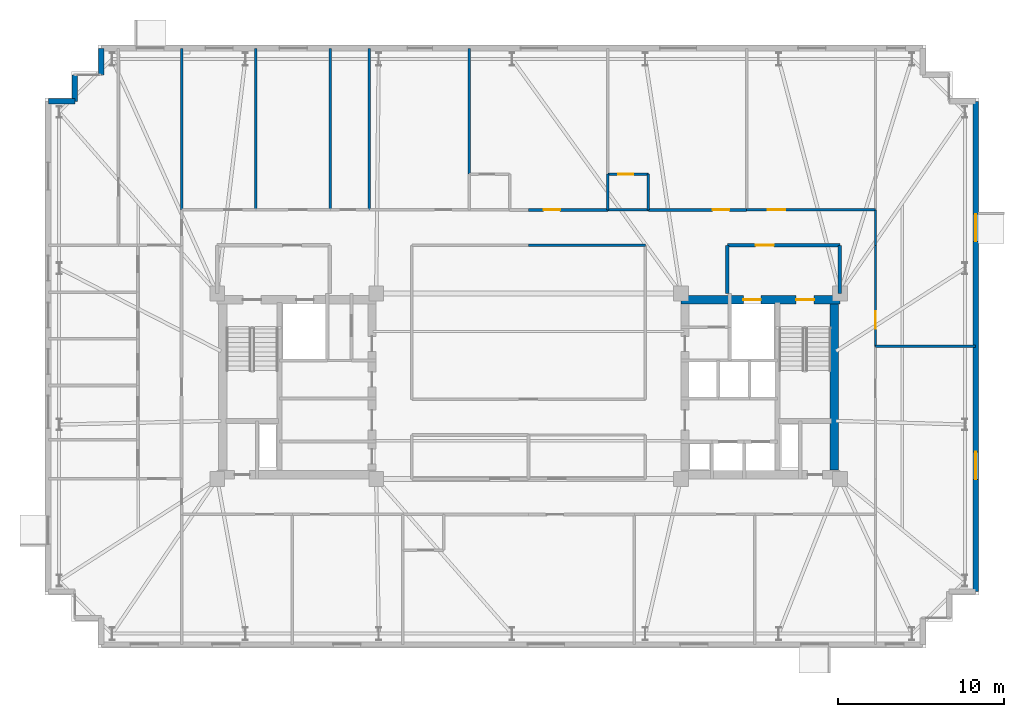
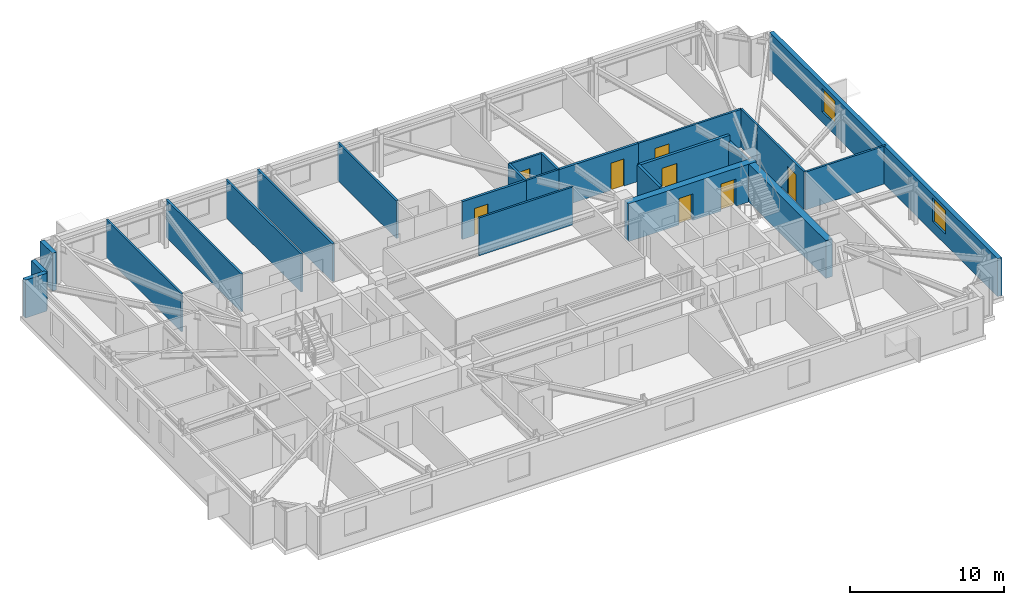
# One storey, part 14 of 17: 25 walls, 8 doors, 2 windows, 10 openings.
"""IFC4 building model written with IfcOpenShell, lengths in metres."""

from ifc_helpers import new_model, si_unit, direction, frame, frame_2d, origin, place, context, subcontext, project, spatial, rectangle, extrude, material, layer, layer_set, type_object, element, fill, save


model = new_model("IFC4")

# Units and contexts
model_context = context("Model", 3, precision=1e-05, world=origin(), true_north=direction((0.0, 1.0)))
body_context = subcontext(model_context, "Body", "Model", "MODEL_VIEW")
ifc_project = project(units=[si_unit("LENGTHUNIT", "METRE"), si_unit("AREAUNIT", "SQUARE_METRE"), si_unit("VOLUMEUNIT", "CUBIC_METRE"), si_unit("PLANEANGLEUNIT", "RADIAN"), si_unit("MASSUNIT", "GRAM", prefix="KILO")], contexts=[model_context])

# Site, building, storey
site_placement = place(None, origin())
site = spatial("IfcSite", under=ifc_project, at=site_placement, CompositionType="ELEMENT")
building_placement = place(site_placement, origin())
building = spatial("IfcBuilding", under=site, at=building_placement, Name="Qobustan Lattice House", CompositionType="ELEMENT")
storey_placement = place(building_placement, frame((0.0, 0.0, 171.199951171875)))
storey = spatial("IfcBuildingStorey", under=building, at=storey_placement, Name="L48", CompositionType="ELEMENT", Elevation=171.199951171875)

# Wall, openings, doors
ifc_material_1 = material(Name="Concrete C50/60", Category="concrete")
ifc_layer_1 = layer(ifc_material_1, 0.5)
ifc_layer_set_1 = layer_set([ifc_layer_1], Name="Concrete C50/60")
wall_type_1 = type_object("IfcWallType", Name="WAL-CORE-500", PredefinedType="SHEAR", material=ifc_layer_set_1)
wall_1_placement = place(storey_placement, frame((9.199951171875, 5.2099609375, 0.0), z_axis=(0.0, 0.0, 1.0), x_axis=(1.0, 0.0, 0.0)))
wall_1 = element("IfcWall", 1, at=wall_1_placement, inside=storey, type_object=wall_type_1, Name="L48 split-core shear wall CE-N", PredefinedType="SHEAR", context=body_context, shape_type="SweptSolid", body=[
    extrude(rectangle(XDim=9.60009765625, YDim=0.5, at=frame_2d((4.800048828125, 0.0))), origin(), (0.0, 0.0, 1.0), 3.0),
])
opening_1_placement = place(wall_1_placement, frame((6.949951171875, 0.0, 0.0)))
opening_1 = element("IfcOpeningElement", 2, at=opening_1_placement, cuts=wall_1, Name="Opening SD-01", PredefinedType="OPENING", context=body_context, shape_type="SweptSolid", body=[
    extrude(rectangle(XDim=1.10009765625, YDim=2.14990234375, at=frame_2d((0.550048828125, 1.074951171875))), frame((0.0, 0.260009765625, 0.0), z_axis=(0.0, -1.0, 0.0), x_axis=(1.0, 0.0, 0.0)), (0.0, 0.0, 1.0), 0.52001953125),
])
opening_2_placement = place(wall_1_placement, frame((3.77490234375, 0.0, 0.0)))
opening_2 = element("IfcOpeningElement", 3, at=opening_2_placement, cuts=wall_1, Name="Opening LD-01", PredefinedType="OPENING", context=body_context, shape_type="SweptSolid", body=[
    extrude(rectangle(XDim=1.050048828125, YDim=2.10009765625, at=frame_2d((0.52490234375, 1.050048828125))), frame((0.0, 0.260009765625, 0.0), z_axis=(0.0, -1.0, 0.0), x_axis=(1.0, 0.0, 0.0)), (0.0, 0.0, 1.0), 0.52001953125),
])
ifc_material_2 = material(Name="Persian walnut timber and steel frame door", Category="steel")
door_type_1 = type_object("IfcDoorType", Name="DOR-LIFT-LD-1050x2100", OperationType="NOTDEFINED", PredefinedType="DOOR", material=ifc_material_2)
door_1_placement = place(opening_2_placement, origin())
door_1 = element("IfcDoor", 4, at=door_1_placement, inside=storey, type_object=door_type_1, Name="L48 firefighting lift FF-E landing door", OperationType="DOUBLE_DOOR_SLIDING", OverallHeight=2.10009765625, OverallWidth=1.050048828125, PredefinedType="DOOR", context=body_context, shape_type="SweptSolid", body=[
    extrude(rectangle(XDim=1.050048828125, YDim=2.10009765625, at=frame_2d((0.52490234375, 1.050048828125))), frame((0.0, 0.02490234375, 0.0), z_axis=(0.0, -1.0, 0.0), x_axis=(1.0, 0.0, 0.0)), (0.0, 0.0, 1.0), 0.050048828125),
])
fill(opening_2, door_1)
ifc_material_3 = material(Name="Persian walnut timber and steel frame door", Category="steel")
door_type_2 = type_object("IfcDoorType", Name="DOR-STAIR-FD-1100x2150", OperationType="NOTDEFINED", PredefinedType="DOOR", material=ifc_material_3)
door_2_placement = place(opening_1_placement, origin())
door_2 = element("IfcDoor", 5, at=door_2_placement, inside=storey, type_object=door_type_2, Name="L48 exit stair ST-E1 fire door", OperationType="SINGLE_SWING_RIGHT", OverallHeight=2.14990234375, OverallWidth=1.10009765625, PredefinedType="DOOR", context=body_context, shape_type="SweptSolid", body=[
    extrude(rectangle(XDim=1.10009765625, YDim=2.14990234375, at=frame_2d((0.550048828125, 1.074951171875))), frame((0.0, 0.02490234375, 0.0), z_axis=(0.0, -1.0, 0.0), x_axis=(1.0, 0.0, 0.0)), (0.0, 0.0, 1.0), 0.050048828125),
])
fill(opening_1, door_2)

# Walls
wall_2_placement = place(storey_placement, frame((18.4599609375, -5.050048828125, 0.0), z_axis=(0.0, 0.0, 1.0), x_axis=(0.0, 1.0, 0.0)))
element("IfcWall", 6, at=wall_2_placement, inside=storey, type_object=wall_type_1, Name="L48 split-core shear wall CE-E", PredefinedType="SHEAR", context=body_context, shape_type="SweptSolid", body=[
    extrude(rectangle(XDim=10.10009765625, YDim=0.5, at=frame_2d((5.050048828125, 0.0))), origin(), (0.0, 0.0, 1.0), 3.0),
])
ifc_material_4 = material(Name="Precast concrete C40/50", Category="concrete")
ifc_layer_2 = layer(ifc_material_4, 0.320068359375)
ifc_layer_set_2 = layer_set([ifc_layer_2], Name="Precast concrete C40/50")
wall_type_2 = type_object("IfcWallType", Name="WAL-EXT-STONE-320", PredefinedType="SOLIDWALL", material=ifc_layer_set_2)
for number, where, z_axis, x_axis, name in (
    (7, (-29.0, 17.199951171875, 0.0), (0.0, 0.0, 1.0), (1.0, 0.0, 0.0), "L48 exterior limestone-clad wall 6"),
    (8, (-27.39990234375, 17.199951171875, 0.0), (0.0, 0.0, 1.0), (0.0, 1.0, 0.0), "L48 exterior limestone-clad wall 7"),
):
    element("IfcWall", number, at=place(storey_placement, frame(where, z_axis=z_axis, x_axis=x_axis)), inside=storey, type_object=wall_type_2, Name=name, PredefinedType="SOLIDWALL", context=body_context, shape_type="SweptSolid", body=[
        extrude(rectangle(XDim=1.60009765625, YDim=0.320068359375, at=frame_2d((0.800048828125, 0.0))), origin(), (0.0, 0.0, 1.0), 3.0),
    ])
wall_3_placement = place(storey_placement, frame((-25.800048828125, 18.800048828125, 0.0), z_axis=(0.0, 0.0, 1.0), x_axis=(0.0, 1.0, 0.0)))
element("IfcWall", 9, at=wall_3_placement, inside=storey, type_object=wall_type_2, Name="L48 exterior limestone-clad wall 9", PredefinedType="SOLIDWALL", context=body_context, shape_type="SweptSolid", body=[
    extrude(rectangle(XDim=1.599853515625, YDim=0.320068359375, at=frame_2d((0.7998046875, 0.0))), origin(), (0.0, 0.0, 1.0), 3.0),
])

# Wall, openings, windows
wall_4_placement = place(storey_placement, frame((27.0, 17.199951171875, 0.0), z_axis=(0.0, 0.0, 1.0), x_axis=(0.0, -1.0, 0.0)))
wall_4 = element("IfcWall", 10, at=wall_4_placement, inside=storey, type_object=wall_type_2, Name="L48 exterior limestone-clad wall 15", PredefinedType="SOLIDWALL", context=body_context, shape_type="SweptSolid", body=[
    extrude(rectangle(XDim=29.599853515625, YDim=0.320068359375, at=frame_2d((14.7998046875, 0.0))), origin(), (0.0, 0.0, 1.0), 3.0),
])
opening_3_placement = place(wall_4_placement, frame((6.81494140625, 0.0, 0.85009765625)))
opening_3 = element("IfcOpeningElement", 11, at=opening_3_placement, cuts=wall_4, Name="Opening WN-09", PredefinedType="OPENING", context=body_context, shape_type="SweptSolid", body=[
    extrude(rectangle(XDim=1.64990234375, YDim=1.85009765625, at=frame_2d((0.824951171875, 0.925048828125))), frame((0.0, 0.169921875, 0.0), z_axis=(0.0, -1.0, 0.0), x_axis=(1.0, 0.0, 0.0)), (0.0, 0.0, 1.0), 0.340087890625),
])
opening_4_placement = place(wall_4_placement, frame((21.175048828125, 0.0, 0.85009765625)))
opening_4 = element("IfcOpeningElement", 12, at=opening_4_placement, cuts=wall_4, Name="Opening WN-09", PredefinedType="OPENING", context=body_context, shape_type="SweptSolid", body=[
    extrude(rectangle(XDim=1.64990234375, YDim=1.85009765625, at=frame_2d((0.824951171875, 0.925048828125))), frame((0.0, 0.169921875, 0.0), z_axis=(0.0, -1.0, 0.0), x_axis=(1.0, 0.0, 0.0)), (0.0, 0.0, 1.0), 0.340087890625),
])
ifc_material_5 = material(Name="Double-glazed low-E aluminium window", Category="aluminium")
window_type = type_object("IfcWindowType", Name="WIN-STU-1650x1850", PartitioningType="SINGLE_PANEL", PredefinedType="WINDOW", material=ifc_material_5)
window_1_placement = place(opening_3_placement, origin())
window_1 = element("IfcWindow", 13, at=window_1_placement, inside=storey, type_object=window_type, Name="L48 Collaborative tutorial room window", OverallHeight=1.85009765625, OverallWidth=1.64990234375, PartitioningType="SINGLE_PANEL", PredefinedType="WINDOW", context=body_context, shape_type="SweptSolid", body=[
    extrude(rectangle(XDim=1.64990234375, YDim=1.85009765625, at=frame_2d((0.824951171875, 0.925048828125))), frame((0.0, 0.030029296875, 0.0), z_axis=(0.0, -1.0, 0.0), x_axis=(1.0, 0.0, 0.0)), (0.0, 0.0, 1.0), 0.06005859375),
])
fill(opening_3, window_1)
window_2_placement = place(opening_4_placement, origin())
window_2 = element("IfcWindow", 14, at=window_2_placement, inside=storey, type_object=window_type, Name="L48 Fellows reading room window", OverallHeight=1.85009765625, OverallWidth=1.64990234375, PartitioningType="SINGLE_PANEL", PredefinedType="WINDOW", context=body_context, shape_type="SweptSolid", body=[
    extrude(rectangle(XDim=1.64990234375, YDim=1.85009765625, at=frame_2d((0.824951171875, 0.925048828125))), frame((0.0, 0.030029296875, 0.0), z_axis=(0.0, -1.0, 0.0), x_axis=(1.0, 0.0, 0.0)), (0.0, 0.0, 1.0), 0.06005859375),
])
fill(opening_4, window_2)

# Wall, opening, door
ifc_material_6 = material(Name="Gypsum fireboard acoustic partition", Category="gypsum")
ifc_layer_3 = layer(ifc_material_6, 0.179931640625)
ifc_layer_set_3 = layer_set([ifc_layer_3], Name="Gypsum fireboard acoustic partition")
wall_type_3 = type_object("IfcWallType", Name="WAL-FIRE-180", PredefinedType="PARTITIONING", material=ifc_layer_set_3)
wall_5_placement = place(storey_placement, frame((0.0, 10.64990234375, 0.0), z_axis=(0.0, 0.0, 1.0), x_axis=(1.0, 0.0, 0.0)))
wall_5 = element("IfcWall", 15, at=wall_5_placement, inside=storey, type_object=wall_type_3, Name="L48 interior partition 43", PredefinedType="PARTITIONING", context=body_context, shape_type="SweptSolid", body=[
    extrude(rectangle(XDim=4.7900390625, YDim=0.179931640625, at=frame_2d((2.39501953125, 0.0))), origin(), (0.0, 0.0, 1.0), 3.0),
])
opening_5_placement = place(wall_5_placement, frame((0.90869140625, 0.0, 0.0)))
opening_5 = element("IfcOpeningElement", 16, at=opening_5_placement, cuts=wall_5, Name="Opening FD-02", PredefinedType="OPENING", context=body_context, shape_type="SweptSolid", body=[
    extrude(rectangle(XDim=1.0, YDim=2.14990234375, at=frame_2d((0.5, 1.074951171875))), frame((0.0, 0.099853515625, 0.0), z_axis=(0.0, -1.0, 0.0), x_axis=(1.0, 0.0, 0.0)), (0.0, 0.0, 1.0), 0.199951171875),
])
ifc_material_7 = material(Name="Persian walnut timber and steel frame door", Category="steel")
door_type_3 = type_object("IfcDoorType", Name="DOR-UNIT-FD-1000x2150", OperationType="NOTDEFINED", PredefinedType="DOOR", material=ifc_material_7)
door_3_placement = place(opening_5_placement, origin())
door_3 = element("IfcDoor", 17, at=door_3_placement, inside=storey, type_object=door_type_3, Name="L48 North-east floor corridor to Kitchenette and studio apartment L48-N3 door", OperationType="SINGLE_SWING_RIGHT", OverallHeight=2.14990234375, OverallWidth=1.0, PredefinedType="DOOR", context=body_context, shape_type="SweptSolid", body=[
    extrude(rectangle(XDim=1.0, YDim=2.14990234375, at=frame_2d((0.5, 1.074951171875))), frame((0.0, 0.02490234375, 0.0), z_axis=(0.0, -1.0, 0.0), x_axis=(1.0, 0.0, 0.0)), (0.0, 0.0, 1.0), 0.050048828125),
])
fill(opening_5, door_3)

wall_6_placement = place(storey_placement, frame((7.239990234375, 10.64990234375, 0.0), z_axis=(0.0, 0.0, 1.0), x_axis=(1.0, 0.0, 0.0)))
wall_6 = element("IfcWall", 18, at=wall_6_placement, inside=storey, type_object=wall_type_3, Name="L48 interior partition 44", PredefinedType="PARTITIONING", context=body_context, shape_type="SweptSolid", body=[
    extrude(rectangle(XDim=5.929931640625, YDim=0.179931640625, at=frame_2d((2.96484375, 0.0))), origin(), (0.0, 0.0, 1.0), 3.0),
])
opening_6_placement = place(wall_6_placement, frame((3.87890625, 0.0, 0.0)))
opening_6 = element("IfcOpeningElement", 19, at=opening_6_placement, cuts=wall_6, Name="Opening FD-02", PredefinedType="OPENING", context=body_context, shape_type="SweptSolid", body=[
    extrude(rectangle(XDim=1.0, YDim=2.14990234375, at=frame_2d((0.5, 1.074951171875))), frame((0.0, 0.099853515625, 0.0), z_axis=(0.0, -1.0, 0.0), x_axis=(1.0, 0.0, 0.0)), (0.0, 0.0, 1.0), 0.199951171875),
])
door_4_placement = place(opening_6_placement, origin())
door_4 = element("IfcDoor", 20, at=door_4_placement, inside=storey, type_object=door_type_3, Name="L48 North-east floor corridor to Kitchenette and studio apartment L48-N4 door", OperationType="SINGLE_SWING_LEFT", OverallHeight=2.14990234375, OverallWidth=1.0, PredefinedType="DOOR", context=body_context, shape_type="SweptSolid", body=[
    extrude(rectangle(XDim=1.0, YDim=2.14990234375, at=frame_2d((0.5, 1.074951171875))), frame((0.0, 0.02490234375, 0.0), z_axis=(0.0, -1.0, 0.0), x_axis=(1.0, 0.0, 0.0)), (0.0, 0.0, 1.0), 0.050048828125),
])
fill(opening_6, door_4)

# Wall
ifc_material_8 = material(Name="Acoustic twin-stud gypsum partition", Category="gypsum")
ifc_layer_4 = layer(ifc_material_8, 0.14990234375)
ifc_layer_set_4 = layer_set([ifc_layer_4], Name="Acoustic twin-stud gypsum partition")
wall_type_4 = type_object("IfcWallType", Name="WAL-PART-150", PredefinedType="PARTITIONING", material=ifc_layer_set_4)
wall_7_placement = place(storey_placement, frame((20.949951171875, 10.64990234375, 0.0), z_axis=(0.0, 0.0, 1.0), x_axis=(0.0, -1.0, 0.0)))
element("IfcWall", 21, at=wall_7_placement, inside=storey, type_object=wall_type_4, Name="L48 interior partition 42", PredefinedType="PARTITIONING", context=body_context, shape_type="SweptSolid", body=[
    extrude(rectangle(XDim=2.14990234375, YDim=0.14990234375, at=frame_2d((1.074951171875, 0.0))), origin(), (0.0, 0.0, 1.0), 3.0),
])

# Wall, opening, door
wall_8_placement = place(storey_placement, frame((13.169921875, 10.64990234375, 0.0), z_axis=(0.0, 0.0, 1.0), x_axis=(1.0, 0.0, 0.0)))
wall_8 = element("IfcWall", 22, at=wall_8_placement, inside=storey, type_object=wall_type_4, Name="L48 interior partition 46", PredefinedType="PARTITIONING", context=body_context, shape_type="SweptSolid", body=[
    extrude(rectangle(XDim=7.780029296875, YDim=0.14990234375, at=frame_2d((3.89013671875, 0.0))), origin(), (0.0, 0.0, 1.0), 3.0),
])
opening_7_placement = place(wall_8_placement, frame((1.276123046875, 0.0, 0.0)))
opening_7 = element("IfcOpeningElement", 23, at=opening_7_placement, cuts=wall_8, Name="Opening ID-02", PredefinedType="OPENING", context=body_context, shape_type="SweptSolid", body=[
    extrude(rectangle(XDim=1.050048828125, YDim=2.14990234375, at=frame_2d((0.52490234375, 1.074951171875))), frame((0.0, 0.0849609375, 0.0), z_axis=(0.0, -1.0, 0.0), x_axis=(1.0, 0.0, 0.0)), (0.0, 0.0, 1.0), 0.169921875),
])
ifc_material_9 = material(Name="Persian walnut timber and steel frame door", Category="steel")
door_type_4 = type_object("IfcDoorType", Name="DOR-STUDY-1050x2150", OperationType="NOTDEFINED", PredefinedType="DOOR", material=ifc_material_9)
door_5_placement = place(opening_7_placement, origin())
door_5 = element("IfcDoor", 24, at=door_5_placement, inside=storey, type_object=door_type_4, Name="L48 North-east floor corridor to Focus study room N5 door", OperationType="SINGLE_SWING_RIGHT", OverallHeight=2.14990234375, OverallWidth=1.050048828125, PredefinedType="DOOR", context=body_context, shape_type="SweptSolid", body=[
    extrude(rectangle(XDim=1.050048828125, YDim=2.14990234375, at=frame_2d((0.52490234375, 1.074951171875))), frame((0.0, 0.02490234375, 0.0), z_axis=(0.0, -1.0, 0.0), x_axis=(1.0, 0.0, 0.0)), (0.0, 0.0, 1.0), 0.050048828125),
])
fill(opening_7, door_5)

# Wall
wall_9_placement = place(storey_placement, frame((7.050048828125, 8.5, 0.0), z_axis=(0.0, 0.0, 1.0), x_axis=(-1.0, 0.0, 0.0)))
element("IfcWall", 25, at=wall_9_placement, inside=storey, type_object=wall_type_4, Name="L48 interior partition 47", PredefinedType="PARTITIONING", context=body_context, shape_type="SweptSolid", body=[
    extrude(rectangle(XDim=7.050048828125, YDim=0.14990234375, at=frame_2d((3.52490234375, 0.0))), origin(), (0.0, 0.0, 1.0), 3.0),
])

# Wall, opening, door
wall_10_placement = place(storey_placement, frame((20.949951171875, 8.5, 0.0), z_axis=(0.0, 0.0, 1.0), x_axis=(0.0, -1.0, 0.0)))
wall_10 = element("IfcWall", 26, at=wall_10_placement, inside=storey, type_object=wall_type_4, Name="L48 interior partition 61", PredefinedType="PARTITIONING", context=body_context, shape_type="SweptSolid", body=[
    extrude(rectangle(XDim=6.10009765625, YDim=0.14990234375, at=frame_2d((3.050048828125, 0.0))), origin(), (0.0, 0.0, 1.0), 3.0),
])
opening_8_placement = place(wall_10_placement, frame((3.983642578125, 0.0, 0.0)))
opening_8 = element("IfcOpeningElement", 27, at=opening_8_placement, cuts=wall_10, Name="Opening ID-02", PredefinedType="OPENING", context=body_context, shape_type="SweptSolid", body=[
    extrude(rectangle(XDim=1.050048828125, YDim=2.14990234375, at=frame_2d((0.52490234375, 1.074951171875))), frame((0.0, 0.0849609375, 0.0), z_axis=(0.0, -1.0, 0.0), x_axis=(1.0, 0.0, 0.0)), (0.0, 0.0, 1.0), 0.169921875),
])
door_6_placement = place(opening_8_placement, origin())
door_6 = element("IfcDoor", 28, at=door_6_placement, inside=storey, type_object=door_type_4, Name="L48 East wing spine gallery to Collaborative tutorial room door", OperationType="SINGLE_SWING_LEFT", OverallHeight=2.14990234375, OverallWidth=1.050048828125, PredefinedType="DOOR", context=body_context, shape_type="SweptSolid", body=[
    extrude(rectangle(XDim=1.050048828125, YDim=2.14990234375, at=frame_2d((0.52490234375, 1.074951171875))), frame((0.0, 0.02490234375, 0.0), z_axis=(0.0, -1.0, 0.0), x_axis=(1.0, 0.0, 0.0)), (0.0, 0.0, 1.0), 0.050048828125),
])
fill(opening_8, door_6)

# Walls
wall_11_placement = place(storey_placement, frame((-20.949951171875, 20.39990234375, 0.0), z_axis=(0.0, 0.0, 1.0), x_axis=(0.0, -1.0, 0.0)))
element("IfcWall", 29, at=wall_11_placement, inside=storey, type_object=wall_type_4, Name="L48 interior partition 78", PredefinedType="PARTITIONING", context=body_context, shape_type="SweptSolid", body=[
    extrude(rectangle(XDim=9.75, YDim=0.14990234375, at=frame_2d((4.875, 0.0))), origin(), (0.0, 0.0, 1.0), 3.0),
])
wall_12_placement = place(storey_placement, frame((20.949951171875, 2.39990234375, 0.0), z_axis=(0.0, 0.0, 1.0), x_axis=(1.0, 0.0, 0.0)))
element("IfcWall", 30, at=wall_12_placement, inside=storey, type_object=wall_type_4, Name="L48 interior partition 86", PredefinedType="PARTITIONING", context=body_context, shape_type="SweptSolid", body=[
    extrude(rectangle(XDim=6.050048828125, YDim=0.14990234375, at=frame_2d((3.02490234375, 0.0))), origin(), (0.0, 0.0, 1.0), 3.0),
])
wall_13_placement = place(storey_placement, frame((-16.4599609375, 20.39990234375, 0.0), z_axis=(0.0, 0.0, 1.0), x_axis=(0.0, -1.0, 0.0)))
element("IfcWall", 31, at=wall_13_placement, inside=storey, type_object=wall_type_4, Name="L48 interior partition 89", PredefinedType="PARTITIONING", context=body_context, shape_type="SweptSolid", body=[
    extrude(rectangle(XDim=9.75, YDim=0.14990234375, at=frame_2d((4.875, 0.0))), origin(), (0.0, 0.0, 1.0), 3.0),
])
wall_14_placement = place(storey_placement, frame((-3.590087890625, 20.39990234375, 0.0), z_axis=(0.0, 0.0, 1.0), x_axis=(0.0, -1.0, 0.0)))
element("IfcWall", 32, at=wall_14_placement, inside=storey, type_object=wall_type_4, Name="L48 interior partition 92", PredefinedType="PARTITIONING", context=body_context, shape_type="SweptSolid", body=[
    extrude(rectangle(XDim=7.599853515625, YDim=0.14990234375, at=frame_2d((3.7998046875, 0.0))), origin(), (0.0, 0.0, 1.0), 3.0),
])

# Wall, opening, door
ifc_material_10 = material(Name="Two-hour gypsum fireboard acoustic partition", Category="gypsum")
ifc_layer_5 = layer(ifc_material_10, 0.199951171875)
ifc_layer_set_5 = layer_set([ifc_layer_5], Name="Two-hour gypsum fireboard acoustic partition")
wall_type_5 = type_object("IfcWallType", Name="WAL-PROT-200", PredefinedType="PARTITIONING", material=ifc_layer_set_5)
wall_15_placement = place(storey_placement, frame((18.800048828125, 8.5, 0.0), z_axis=(0.0, 0.0, 1.0), x_axis=(-1.0, 0.0, 0.0)))
wall_15 = element("IfcWall", 33, at=wall_15_placement, inside=storey, type_object=wall_type_5, Name="L48 interior partition 18", PredefinedType="PARTITIONING", context=body_context, shape_type="SweptSolid", body=[
    extrude(rectangle(XDim=6.800048828125, YDim=0.199951171875, at=frame_2d((3.39990234375, 0.0))), origin(), (0.0, 0.0, 1.0), 3.0),
])
opening_9_placement = place(wall_15_placement, frame((3.985107421875, 0.0, 0.0)))
opening_9 = element("IfcOpeningElement", 34, at=opening_9_placement, cuts=wall_15, Name="Opening SD-01", PredefinedType="OPENING", context=body_context, shape_type="SweptSolid", body=[
    extrude(rectangle(XDim=1.10009765625, YDim=2.14990234375, at=frame_2d((0.550048828125, 1.074951171875))), frame((0.0, 0.10986328125, 0.0), z_axis=(0.0, -1.0, 0.0), x_axis=(1.0, 0.0, 0.0)), (0.0, 0.0, 1.0), 0.219970703125),
])
door_7_placement = place(opening_9_placement, origin())
door_7 = element("IfcDoor", 35, at=door_7_placement, inside=storey, type_object=door_type_2, Name="L48 East firefighting lift lobby to North-east floor corridor door", OperationType="SINGLE_SWING_LEFT", OverallHeight=2.14990234375, OverallWidth=1.10009765625, PredefinedType="DOOR", context=body_context, shape_type="SweptSolid", body=[
    extrude(rectangle(XDim=1.10009765625, YDim=2.14990234375, at=frame_2d((0.550048828125, 1.074951171875))), frame((0.0, 0.02490234375, 0.0), z_axis=(0.0, -1.0, 0.0), x_axis=(1.0, 0.0, 0.0)), (0.0, 0.0, 1.0), 0.050048828125),
])
fill(opening_9, door_7)

# Walls
wall_16_placement = place(storey_placement, frame((18.800048828125, 5.60009765625, 0.0), z_axis=(0.0, 0.0, 1.0), x_axis=(0.0, 1.0, 0.0)))
element("IfcWall", 36, at=wall_16_placement, inside=storey, type_object=wall_type_5, Name="L48 interior partition 19", PredefinedType="PARTITIONING", context=body_context, shape_type="SweptSolid", body=[
    extrude(rectangle(XDim=2.89990234375, YDim=0.199951171875, at=frame_2d((1.449951171875, 0.0))), origin(), (0.0, 0.0, 1.0), 2.485107421875),
])
wall_17_placement = place(storey_placement, frame((12.0, 8.5, 0.0), z_axis=(0.0, 0.0, 1.0), x_axis=(0.0, -1.0, 0.0)))
element("IfcWall", 37, at=wall_17_placement, inside=storey, type_object=wall_type_5, Name="L48 interior partition 20", PredefinedType="PARTITIONING", context=body_context, shape_type="SweptSolid", body=[
    extrude(rectangle(XDim=2.89990234375, YDim=0.199951171875, at=frame_2d((1.449951171875, 0.0))), origin(), (0.0, 0.0, 1.0), 3.0),
])
ifc_material_11 = material(Name="Moisture-resistant acoustic plumbing wall", Category="gypsum")
ifc_layer_6 = layer(ifc_material_11, 0.14990234375)
ifc_layer_set_6 = layer_set([ifc_layer_6], Name="Moisture-resistant acoustic plumbing wall")
wall_type_6 = type_object("IfcWallType", Name="WAL-WET-150", PredefinedType="PLUMBINGWALL", material=ifc_layer_set_6)
wall_18_placement = place(storey_placement, frame((4.7900390625, 10.64990234375, 0.0), z_axis=(0.0, 0.0, 1.0), x_axis=(1.0, 0.0, 0.0)))
element("IfcWall", 38, at=wall_18_placement, inside=storey, type_object=wall_type_6, Name="L48 interior partition 45", PredefinedType="PLUMBINGWALL", context=body_context, shape_type="SweptSolid", body=[
    extrude(rectangle(XDim=2.449951171875, YDim=0.14990234375, at=frame_2d((1.22509765625, 0.0))), origin(), (0.0, 0.0, 1.0), 3.0),
])
for number, where, z_axis, x_axis, name in (
    (39, (-11.969970703125, 20.39990234375, 0.0), (0.0, 0.0, 1.0), (0.0, -1.0, 0.0), "L48 interior partition 90"),
    (40, (-9.6201171875, 20.39990234375, 0.0), (0.0, 0.0, 1.0), (0.0, -1.0, 0.0), "L48 interior partition 91"),
):
    element("IfcWall", number, at=place(storey_placement, frame(where, z_axis=z_axis, x_axis=x_axis)), inside=storey, type_object=wall_type_6, Name=name, PredefinedType="PLUMBINGWALL", context=body_context, shape_type="SweptSolid", body=[
        extrude(rectangle(XDim=9.75, YDim=0.14990234375, at=frame_2d((4.875, 0.0))), origin(), (0.0, 0.0, 1.0), 3.0),
    ])
wall_19_placement = place(storey_placement, frame((4.7900390625, 12.800048828125, 0.0), z_axis=(0.0, 0.0, 1.0), x_axis=(0.0, -1.0, 0.0)))
element("IfcWall", 41, at=wall_19_placement, inside=storey, type_object=wall_type_6, Name="L48 interior partition 97", PredefinedType="PLUMBINGWALL", context=body_context, shape_type="SweptSolid", body=[
    extrude(rectangle(XDim=2.150146484375, YDim=0.14990234375, at=frame_2d((1.0751953125, 0.0))), origin(), (0.0, 0.0, 1.0), 3.0),
])

# Wall, opening, door
wall_20_placement = place(storey_placement, frame((7.239990234375, 12.800048828125, 0.0), z_axis=(0.0, 0.0, 1.0), x_axis=(-1.0, 0.0, 0.0)))
wall_20 = element("IfcWall", 42, at=wall_20_placement, inside=storey, type_object=wall_type_6, Name="L48 interior partition 98", PredefinedType="PLUMBINGWALL", context=body_context, shape_type="SweptSolid", body=[
    extrude(rectangle(XDim=2.449951171875, YDim=0.14990234375, at=frame_2d((1.22509765625, 0.0))), origin(), (0.0, 0.0, 1.0), 3.0),
])
opening_10_placement = place(wall_20_placement, frame((0.92138671875, 0.0, 0.0)))
opening_10 = element("IfcOpeningElement", 43, at=opening_10_placement, cuts=wall_20, Name="Opening WD-01", PredefinedType="OPENING", context=body_context, shape_type="SweptSolid", body=[
    extrude(rectangle(XDim=0.89990234375, YDim=2.10009765625, at=frame_2d((0.449951171875, 1.050048828125))), frame((0.0, 0.0849609375, 0.0), z_axis=(0.0, -1.0, 0.0), x_axis=(1.0, 0.0, 0.0)), (0.0, 0.0, 1.0), 0.169921875),
])
ifc_material_12 = material(Name="Persian walnut timber and steel frame door", Category="steel")
door_type_5 = type_object("IfcDoorType", Name="DOR-WET-900x2100", OperationType="NOTDEFINED", PredefinedType="DOOR", material=ifc_material_12)
door_8_placement = place(opening_10_placement, origin())
door_8 = element("IfcDoor", 44, at=door_8_placement, inside=storey, type_object=door_type_5, Name="L48 Kitchenette and studio apartment L48-N4 to En-suite bathroom L48-N4 door", OperationType="SINGLE_SWING_RIGHT", OverallHeight=2.10009765625, OverallWidth=0.89990234375, PredefinedType="DOOR", context=body_context, shape_type="SweptSolid", body=[
    extrude(rectangle(XDim=0.89990234375, YDim=2.10009765625, at=frame_2d((0.449951171875, 1.050048828125))), frame((0.0, 0.02490234375, 0.0), z_axis=(0.0, -1.0, 0.0), x_axis=(1.0, 0.0, 0.0)), (0.0, 0.0, 1.0), 0.050048828125),
])
fill(opening_10, door_8)

# Wall
wall_21_placement = place(storey_placement, frame((7.239990234375, 10.64990234375, 0.0), z_axis=(0.0, 0.0, 1.0), x_axis=(0.0, 1.0, 0.0)))
element("IfcWall", 45, at=wall_21_placement, inside=storey, type_object=wall_type_6, Name="L48 interior partition 99", PredefinedType="PLUMBINGWALL", context=body_context, shape_type="SweptSolid", body=[
    extrude(rectangle(XDim=2.150146484375, YDim=0.14990234375, at=frame_2d((1.0751953125, 0.0))), origin(), (0.0, 0.0, 1.0), 3.0),
])

save(model, "model.ifc")
